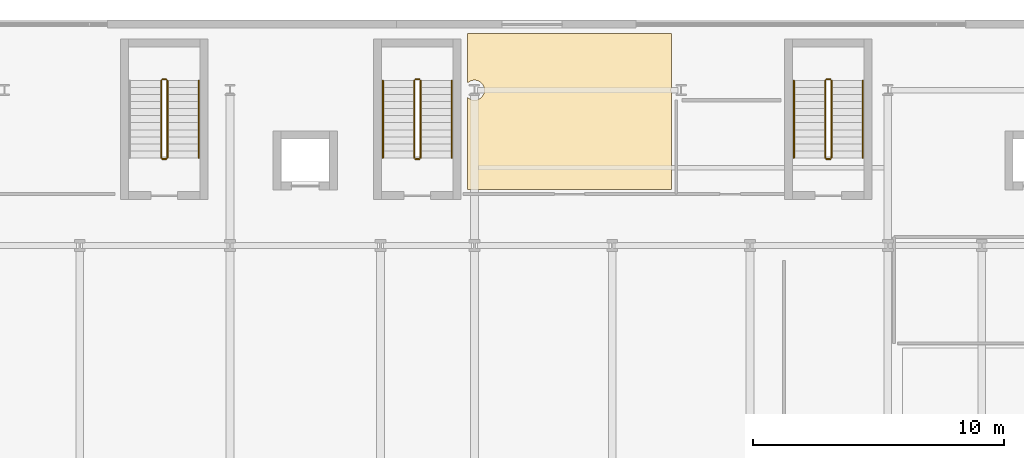
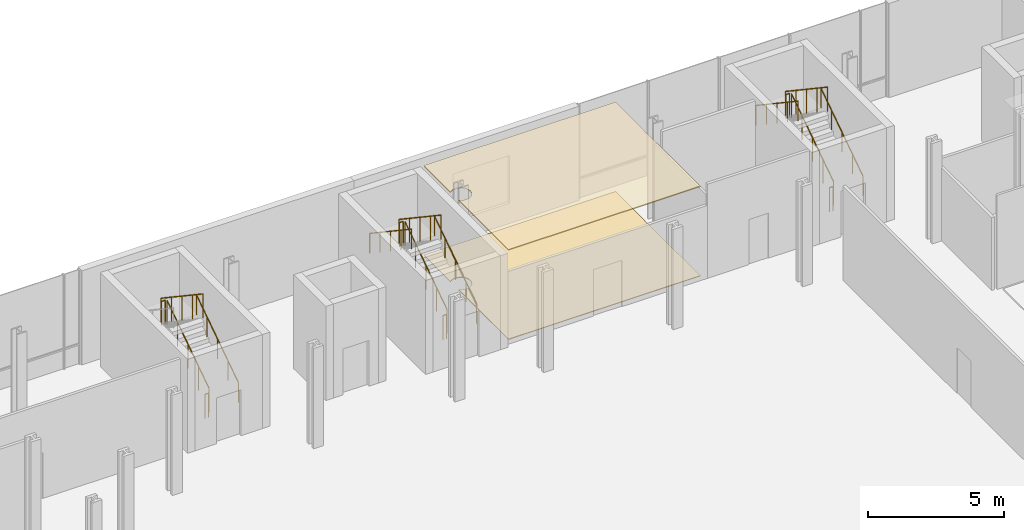
# One storey, part 24 of 25: 17 railings, 2 coverings.
"""IFC4 building model written with IfcOpenShell, lengths in metres."""

from ifc_helpers import new_model, si_unit, direction, frame, origin, origin_2d, place, context, subcontext, project, spatial, polyline, circle, outline, extrude, material, layer, layer_set, type_object, element, save


model = new_model("IFC4")

# Units and contexts
model_context = context("Model", 3, precision=1e-05, world=origin(), true_north=direction((0.0, 1.0)))
body_context = subcontext(model_context, "Body", "Model", "MODEL_VIEW")
ifc_project = project(units=[si_unit("LENGTHUNIT", "METRE"), si_unit("AREAUNIT", "SQUARE_METRE"), si_unit("VOLUMEUNIT", "CUBIC_METRE"), si_unit("PLANEANGLEUNIT", "RADIAN"), si_unit("MASSUNIT", "GRAM", prefix="KILO")], contexts=[model_context])

# Site, building, storey
site_placement = place(None, origin())
site = spatial("IfcSite", under=ifc_project, at=site_placement, CompositionType="ELEMENT")
building_placement = place(site_placement, origin())
building = spatial("IfcBuilding", under=site, at=building_placement, Name="Brevholm Reach", CompositionType="ELEMENT")
storey_placement = place(building_placement, frame((0.0, 0.0, 4.5)))
storey = spatial("IfcBuildingStorey", under=building, at=storey_placement, Name="L01", CompositionType="ELEMENT", Elevation=4.5)

# Coverings
ifc_material_1 = material(Name="Perforated Mineral-Fibre Class-A Acoustic Suspended Ceiling", Category="gypsum")
ifc_layer_1 = layer(ifc_material_1, 0.044921875)
ifc_layer_set_1 = layer_set([ifc_layer_1], Name="Perforated Mineral-Fibre Class-A Acoustic Suspended Ceiling")
covering_type_1 = type_object("IfcCoveringType", Name="COV-CLG-AC", PredefinedType="CEILING", material=ifc_layer_set_1)
covering_1_placement = place(storey_placement, frame((0.0, 0.0, 4.0048828125)))
element("IfcCovering", 1, at=covering_1_placement, inside=storey, type_object=covering_type_1, Name="L01 Suspended Ceiling L01-25", PredefinedType="CEILING", context=body_context, shape_type="SweptSolid", body=[
    extrude(outline(polyline([(21.47998046875, 36.905517578125), (21.49609375, 36.890869140625), (21.52783203125, 36.867431640625), (21.561279296875, 36.84716796875), (21.596923828125, 36.830322265625), (21.6337890625, 36.817138671875), (21.672119140625, 36.8076171875), (21.710693359375, 36.802001953125), (21.75, 36.800048828125), (21.789306640625, 36.802001953125), (21.827880859375, 36.8076171875), (21.8662109375, 36.817138671875), (21.903076171875, 36.830322265625), (21.938720703125, 36.84716796875), (21.97216796875, 36.867431640625), (22.00390625, 36.890869140625), (22.03271484375, 36.917236328125), (22.05908203125, 36.9462890625), (22.08251953125, 36.977783203125), (22.102783203125, 37.011474609375), (22.11962890625, 37.046875), (22.1328125, 37.083984375), (22.142333984375, 37.1220703125), (22.148193359375, 37.160888671875), (22.14990234375, 37.199951171875), (22.148193359375, 37.2392578125), (22.142333984375, 37.278076171875), (22.1328125, 37.316162109375), (22.11962890625, 37.35302734375), (22.102783203125, 37.388671875), (22.08251953125, 37.422119140625), (22.05908203125, 37.453857421875), (22.03271484375, 37.48291015625), (22.00390625, 37.50927734375), (21.97216796875, 37.53271484375), (21.938720703125, 37.552734375), (21.903076171875, 37.569580078125), (21.8662109375, 37.582763671875), (21.827880859375, 37.59228515625), (21.789306640625, 37.59814453125), (21.75, 37.60009765625), (21.710693359375, 37.59814453125), (21.672119140625, 37.59228515625), (21.6337890625, 37.582763671875), (21.596923828125, 37.569580078125), (21.561279296875, 37.552734375), (21.52783203125, 37.53271484375), (21.49609375, 37.50927734375), (21.47998046875, 37.494384765625), (21.47998046875, 39.4599609375), (29.6201171875, 39.4599609375), (29.6201171875, 37.323974609375), (29.6171875, 37.316162109375), (29.607666015625, 37.278076171875), (29.601806640625, 37.2392578125), (29.60009765625, 37.199951171875), (29.601806640625, 37.160888671875), (29.607666015625, 37.1220703125), (29.6171875, 37.083984375), (29.6201171875, 37.076171875), (29.6201171875, 33.23388671875), (21.47998046875, 33.23388671875), (21.47998046875, 36.905517578125)])), origin(), (0.0, 0.0, 1.0), 0.045166015625),
])
ifc_material_2 = material(Name="Honed Portland-Aggregate Resin Terrazzo Flooring", Category="concrete")
ifc_layer_2 = layer(ifc_material_2, 0.031982421875)
ifc_layer_set_2 = layer_set([ifc_layer_2], Name="Honed Portland-Aggregate Resin Terrazzo Flooring")
covering_type_2 = type_object("IfcCoveringType", Name="COV-FLR-TRZ", PredefinedType="FLOORING", material=ifc_layer_set_2)
covering_2_placement = place(storey_placement, origin())
element("IfcCovering", 2, at=covering_2_placement, inside=storey, type_object=covering_type_2, Name="L01 Floor Finish L01-25", PredefinedType="FLOORING", context=body_context, shape_type="SweptSolid", body=[
    extrude(outline(polyline([(21.47998046875, 36.905517578125), (21.49609375, 36.890869140625), (21.52783203125, 36.867431640625), (21.561279296875, 36.84716796875), (21.596923828125, 36.830322265625), (21.6337890625, 36.817138671875), (21.672119140625, 36.8076171875), (21.710693359375, 36.802001953125), (21.75, 36.800048828125), (21.789306640625, 36.802001953125), (21.827880859375, 36.8076171875), (21.8662109375, 36.817138671875), (21.903076171875, 36.830322265625), (21.938720703125, 36.84716796875), (21.97216796875, 36.867431640625), (22.00390625, 36.890869140625), (22.03271484375, 36.917236328125), (22.05908203125, 36.9462890625), (22.08251953125, 36.977783203125), (22.102783203125, 37.011474609375), (22.11962890625, 37.046875), (22.1328125, 37.083984375), (22.142333984375, 37.1220703125), (22.148193359375, 37.160888671875), (22.14990234375, 37.199951171875), (22.148193359375, 37.2392578125), (22.142333984375, 37.278076171875), (22.1328125, 37.316162109375), (22.11962890625, 37.35302734375), (22.102783203125, 37.388671875), (22.08251953125, 37.422119140625), (22.05908203125, 37.453857421875), (22.03271484375, 37.48291015625), (22.00390625, 37.50927734375), (21.97216796875, 37.53271484375), (21.938720703125, 37.552734375), (21.903076171875, 37.569580078125), (21.8662109375, 37.582763671875), (21.827880859375, 37.59228515625), (21.789306640625, 37.59814453125), (21.75, 37.60009765625), (21.710693359375, 37.59814453125), (21.672119140625, 37.59228515625), (21.6337890625, 37.582763671875), (21.596923828125, 37.569580078125), (21.561279296875, 37.552734375), (21.52783203125, 37.53271484375), (21.49609375, 37.50927734375), (21.47998046875, 37.494384765625), (21.47998046875, 39.4599609375), (29.6201171875, 39.4599609375), (29.6201171875, 37.323974609375), (29.6171875, 37.316162109375), (29.607666015625, 37.278076171875), (29.601806640625, 37.2392578125), (29.60009765625, 37.199951171875), (29.601806640625, 37.160888671875), (29.607666015625, 37.1220703125), (29.6171875, 37.083984375), (29.6201171875, 37.076171875), (29.6201171875, 33.23388671875), (21.47998046875, 33.23388671875), (21.47998046875, 36.905517578125)])), origin(), (0.0, 0.0, 1.0), 0.031982421875),
])

# Railings
ifc_material_3 = material(Name="Brushed Stainless Steel EN 1.4401 Continuous Handrail", Category="steel")
railing_type_1 = type_object("IfcRailingType", Name="RAL-HND-950", PredefinedType="HANDRAIL", material=ifc_material_3)
for number, where, name in (
    (3, (10.75, 34.5, 0.1875), "L01 ST-S1 stair handrail 1"),
    (4, (20.85009765625, 34.5, 0.1875), "L01 ST-S2 stair handrail 1"),
):
    element("IfcRailing", number, at=place(storey_placement, frame(where)), inside=storey, type_object=railing_type_1, Name=name, PredefinedType="HANDRAIL", context=body_context, shape_type="SweptSolid", body=[
        extrude(circle(Radius=0.02392578125, at=origin_2d()), frame((0.0, 0.0, 0.8857421875), z_axis=(0.0, 0.830913701846, 0.55640131208), x_axis=(-1.0, 0.0, 0.0)), (0.0, 0.0, 1.0), 3.706787109375),
        extrude(circle(Radius=0.02099609375, at=origin_2d()), origin(), (0.0, 0.0, 1.0), 0.86181640625),
        extrude(circle(Radius=0.02099609375, at=origin_2d()), frame((0.0, 0.77001953125, 0.515625)), (0.0, 0.0, 1.0), 0.86181640625),
        extrude(circle(Radius=0.02099609375, at=origin_2d()), frame((0.0, 1.5400390625, 1.03125)), (0.0, 0.0, 1.0), 0.86181640625),
        extrude(circle(Radius=0.02099609375, at=origin_2d()), frame((0.0, 2.31005859375, 1.546875)), (0.0, 0.0, 1.0), 0.86181640625),
        extrude(circle(Radius=0.02099609375, at=origin_2d()), frame((0.0, 3.080078125, 2.0625)), (0.0, 0.0, 1.0), 0.86181640625),
    ])
railing_1_placement = place(storey_placement, frame((18.10009765625, 37.580078125, 2.4375)))
element("IfcRailing", 5, at=railing_1_placement, inside=storey, type_object=railing_type_1, Name="L01 ST-S2 stair handrail 2", PredefinedType="HANDRAIL", context=body_context, shape_type="SweptSolid", body=[
    extrude(circle(Radius=0.02392578125, at=origin_2d()), frame((0.0, 0.0, 0.8857421875), z_axis=(0.0, -0.830913701846, 0.55640131208), x_axis=(1.0, 0.0, 0.0)), (0.0, 0.0, 1.0), 3.706787109375),
    extrude(circle(Radius=0.02099609375, at=origin_2d()), origin(), (0.0, 0.0, 1.0), 0.86181640625),
    extrude(circle(Radius=0.02099609375, at=origin_2d()), frame((0.0, -0.77001953125, 0.515625)), (0.0, 0.0, 1.0), 0.86181640625),
    extrude(circle(Radius=0.02099609375, at=origin_2d()), frame((0.0, -1.5400390625, 1.03125)), (0.0, 0.0, 1.0), 0.86181640625),
    extrude(circle(Radius=0.02099609375, at=origin_2d()), frame((0.0, -2.31005859375, 1.546875)), (0.0, 0.0, 1.0), 0.86181640625),
    extrude(circle(Radius=0.02099609375, at=origin_2d()), frame((0.0, -3.080078125, 2.0625)), (0.0, 0.0, 1.0), 0.86181640625),
])
railing_2_placement = place(storey_placement, frame((37.25, 34.5, 0.1875)))
element("IfcRailing", 6, at=railing_2_placement, inside=storey, type_object=railing_type_1, Name="L01 ST-S3 stair handrail 1", PredefinedType="HANDRAIL", context=body_context, shape_type="SweptSolid", body=[
    extrude(circle(Radius=0.02392578125, at=origin_2d()), frame((0.0, 0.0, 0.8857421875), z_axis=(0.0, 0.830913701846, 0.55640131208), x_axis=(-1.0, 0.0, 0.0)), (0.0, 0.0, 1.0), 3.706787109375),
    extrude(circle(Radius=0.02099609375, at=origin_2d()), origin(), (0.0, 0.0, 1.0), 0.86181640625),
    extrude(circle(Radius=0.02099609375, at=origin_2d()), frame((0.0, 0.77001953125, 0.515625)), (0.0, 0.0, 1.0), 0.86181640625),
    extrude(circle(Radius=0.02099609375, at=origin_2d()), frame((0.0, 1.5400390625, 1.03125)), (0.0, 0.0, 1.0), 0.86181640625),
    extrude(circle(Radius=0.02099609375, at=origin_2d()), frame((0.0, 2.31005859375, 1.546875)), (0.0, 0.0, 1.0), 0.86181640625),
    extrude(circle(Radius=0.02099609375, at=origin_2d()), frame((0.0, 3.080078125, 2.0625)), (0.0, 0.0, 1.0), 0.86181640625),
])
railing_3_placement = place(storey_placement, frame((34.5, 37.580078125, 2.4375)))
element("IfcRailing", 7, at=railing_3_placement, inside=storey, type_object=railing_type_1, Name="L01 ST-S3 stair handrail 2", PredefinedType="HANDRAIL", context=body_context, shape_type="SweptSolid", body=[
    extrude(circle(Radius=0.02392578125, at=origin_2d()), frame((0.0, 0.0, 0.8857421875), z_axis=(0.0, -0.830913701846, 0.55640131208), x_axis=(1.0, 0.0, 0.0)), (0.0, 0.0, 1.0), 3.706787109375),
    extrude(circle(Radius=0.02099609375, at=origin_2d()), origin(), (0.0, 0.0, 1.0), 0.86181640625),
    extrude(circle(Radius=0.02099609375, at=origin_2d()), frame((0.0, -0.77001953125, 0.515625)), (0.0, 0.0, 1.0), 0.86181640625),
    extrude(circle(Radius=0.02099609375, at=origin_2d()), frame((0.0, -1.5400390625, 1.03125)), (0.0, 0.0, 1.0), 0.86181640625),
    extrude(circle(Radius=0.02099609375, at=origin_2d()), frame((0.0, -2.31005859375, 1.546875)), (0.0, 0.0, 1.0), 0.86181640625),
    extrude(circle(Radius=0.02099609375, at=origin_2d()), frame((0.0, -3.080078125, 2.0625)), (0.0, 0.0, 1.0), 0.86181640625),
])
ifc_material_4 = material(Name="Painted Tubular Galvanised Steel S275JR Stair Guard", Category="steel")
railing_type_2 = type_object("IfcRailingType", Name="RAL-STG-1120", PredefinedType="BALUSTRADE", material=ifc_material_4)
railing_4_placement = place(storey_placement, frame((9.5, 34.5, 0.1875)))
element("IfcRailing", 8, at=railing_4_placement, inside=storey, type_object=railing_type_2, Name="L01 ST-S1 stair guard 1", PredefinedType="BALUSTRADE", context=body_context, shape_type="SweptSolid", body=[
    extrude(circle(Radius=0.02392578125, at=origin_2d()), frame((0.0, 0.0, 1.076171875), z_axis=(0.0, 0.830913701846, 0.55640131208), x_axis=(-1.0, 0.0, 0.0)), (0.0, 0.0, 1.0), 3.706787109375),
    extrude(circle(Radius=0.02099609375, at=origin_2d()), origin(), (0.0, 0.0, 1.0), 1.052001953125),
    extrude(circle(Radius=0.02099609375, at=origin_2d()), frame((0.0, 0.77001953125, 0.515625)), (0.0, 0.0, 1.0), 1.052001953125),
    extrude(circle(Radius=0.02099609375, at=origin_2d()), frame((0.0, 1.5400390625, 1.03125)), (0.0, 0.0, 1.0), 1.052001953125),
    extrude(circle(Radius=0.02099609375, at=origin_2d()), frame((0.0, 2.31005859375, 1.546875)), (0.0, 0.0, 1.0), 1.052001953125),
    extrude(circle(Radius=0.02099609375, at=origin_2d()), frame((0.0, 3.080078125, 2.0625)), (0.0, 0.0, 1.0), 1.052001953125),
])
railing_5_placement = place(storey_placement, frame((9.449951171875, 37.6298828125, 2.25)))
element("IfcRailing", 9, at=railing_5_placement, inside=storey, type_object=railing_type_2, Name="L01 ST-S1 stair guard 2", PredefinedType="BALUSTRADE", context=body_context, shape_type="SweptSolid", body=[
    extrude(circle(Radius=0.02392578125, at=origin_2d()), frame((0.0, 0.0, 1.076171875), z_axis=(-1.0, 0.0, 0.0), x_axis=(0.0, -1.0, 0.0)), (0.0, 0.0, 1.0), 0.14990234375),
    extrude(circle(Radius=0.02099609375, at=origin_2d()), origin(), (0.0, 0.0, 1.0), 1.052001953125),
    extrude(circle(Radius=0.02099609375, at=origin_2d()), frame((-0.14990234375, 0.0, 0.0)), (0.0, 0.0, 1.0), 1.052001953125),
])
railing_6_placement = place(storey_placement, frame((9.25, 37.580078125, 2.4375)))
element("IfcRailing", 10, at=railing_6_placement, inside=storey, type_object=railing_type_2, Name="L01 ST-S1 stair guard 3", PredefinedType="BALUSTRADE", context=body_context, shape_type="SweptSolid", body=[
    extrude(circle(Radius=0.02392578125, at=origin_2d()), frame((0.0, 0.0, 1.076171875), z_axis=(0.0, -0.830913701846, 0.55640131208), x_axis=(1.0, 0.0, 0.0)), (0.0, 0.0, 1.0), 3.706787109375),
    extrude(circle(Radius=0.02099609375, at=origin_2d()), origin(), (0.0, 0.0, 1.0), 1.052001953125),
    extrude(circle(Radius=0.02099609375, at=origin_2d()), frame((0.0, -0.77001953125, 0.515625)), (0.0, 0.0, 1.0), 1.052001953125),
    extrude(circle(Radius=0.02099609375, at=origin_2d()), frame((0.0, -1.5400390625, 1.03125)), (0.0, 0.0, 1.0), 1.052001953125),
    extrude(circle(Radius=0.02099609375, at=origin_2d()), frame((0.0, -2.31005859375, 1.546875)), (0.0, 0.0, 1.0), 1.052001953125),
    extrude(circle(Radius=0.02099609375, at=origin_2d()), frame((0.0, -3.080078125, 2.0625)), (0.0, 0.0, 1.0), 1.052001953125),
])
railing_7_placement = place(storey_placement, frame((9.449951171875, 34.449951171875, 0.0)))
element("IfcRailing", 11, at=railing_7_placement, inside=storey, type_object=railing_type_2, Name="L01 ST-S1 stair guard 4", PredefinedType="BALUSTRADE", context=body_context, shape_type="SweptSolid", body=[
    extrude(circle(Radius=0.02392578125, at=origin_2d()), frame((0.0, 0.0, 1.076171875), z_axis=(-1.0, 0.0, 0.0), x_axis=(0.0, -1.0, 0.0)), (0.0, 0.0, 1.0), 0.14990234375),
    extrude(circle(Radius=0.02099609375, at=origin_2d()), origin(), (0.0, 0.0, 1.0), 1.052001953125),
    extrude(circle(Radius=0.02099609375, at=origin_2d()), frame((-0.14990234375, 0.0, 0.0)), (0.0, 0.0, 1.0), 1.052001953125),
])
railing_8_placement = place(storey_placement, frame((19.60009765625, 34.5, 0.1875)))
element("IfcRailing", 12, at=railing_8_placement, inside=storey, type_object=railing_type_2, Name="L01 ST-S2 stair guard 1", PredefinedType="BALUSTRADE", context=body_context, shape_type="SweptSolid", body=[
    extrude(circle(Radius=0.02392578125, at=origin_2d()), frame((0.0, 0.0, 1.076171875), z_axis=(0.0, 0.830913701846, 0.55640131208), x_axis=(-1.0, 0.0, 0.0)), (0.0, 0.0, 1.0), 3.706787109375),
    extrude(circle(Radius=0.02099609375, at=origin_2d()), origin(), (0.0, 0.0, 1.0), 1.052001953125),
    extrude(circle(Radius=0.02099609375, at=origin_2d()), frame((0.0, 0.77001953125, 0.515625)), (0.0, 0.0, 1.0), 1.052001953125),
    extrude(circle(Radius=0.02099609375, at=origin_2d()), frame((0.0, 1.5400390625, 1.03125)), (0.0, 0.0, 1.0), 1.052001953125),
    extrude(circle(Radius=0.02099609375, at=origin_2d()), frame((0.0, 2.31005859375, 1.546875)), (0.0, 0.0, 1.0), 1.052001953125),
    extrude(circle(Radius=0.02099609375, at=origin_2d()), frame((0.0, 3.080078125, 2.0625)), (0.0, 0.0, 1.0), 1.052001953125),
])
railing_9_placement = place(storey_placement, frame((19.550048828125, 37.6298828125, 2.25)))
element("IfcRailing", 13, at=railing_9_placement, inside=storey, type_object=railing_type_2, Name="L01 ST-S2 stair guard 2", PredefinedType="BALUSTRADE", context=body_context, shape_type="SweptSolid", body=[
    extrude(circle(Radius=0.02392578125, at=origin_2d()), frame((0.0, 0.0, 1.076171875), z_axis=(-1.0, 0.0, 0.0), x_axis=(0.0, -1.0, 0.0)), (0.0, 0.0, 1.0), 0.150146484375),
    extrude(circle(Radius=0.02099609375, at=origin_2d()), origin(), (0.0, 0.0, 1.0), 1.052001953125),
    extrude(circle(Radius=0.02099609375, at=origin_2d()), frame((-0.150146484375, 0.0, 0.0)), (0.0, 0.0, 1.0), 1.052001953125),
])
railing_10_placement = place(storey_placement, frame((19.35009765625, 37.580078125, 2.4375)))
element("IfcRailing", 14, at=railing_10_placement, inside=storey, type_object=railing_type_2, Name="L01 ST-S2 stair guard 3", PredefinedType="BALUSTRADE", context=body_context, shape_type="SweptSolid", body=[
    extrude(circle(Radius=0.02392578125, at=origin_2d()), frame((0.0, 0.0, 1.076171875), z_axis=(0.0, -0.830913701846, 0.55640131208), x_axis=(1.0, 0.0, 0.0)), (0.0, 0.0, 1.0), 3.706787109375),
    extrude(circle(Radius=0.02099609375, at=origin_2d()), origin(), (0.0, 0.0, 1.0), 1.052001953125),
    extrude(circle(Radius=0.02099609375, at=origin_2d()), frame((0.0, -0.77001953125, 0.515625)), (0.0, 0.0, 1.0), 1.052001953125),
    extrude(circle(Radius=0.02099609375, at=origin_2d()), frame((0.0, -1.5400390625, 1.03125)), (0.0, 0.0, 1.0), 1.052001953125),
    extrude(circle(Radius=0.02099609375, at=origin_2d()), frame((0.0, -2.31005859375, 1.546875)), (0.0, 0.0, 1.0), 1.052001953125),
    extrude(circle(Radius=0.02099609375, at=origin_2d()), frame((0.0, -3.080078125, 2.0625)), (0.0, 0.0, 1.0), 1.052001953125),
])
railing_11_placement = place(storey_placement, frame((19.550048828125, 34.449951171875, 0.0)))
element("IfcRailing", 15, at=railing_11_placement, inside=storey, type_object=railing_type_2, Name="L01 ST-S2 stair guard 4", PredefinedType="BALUSTRADE", context=body_context, shape_type="SweptSolid", body=[
    extrude(circle(Radius=0.02392578125, at=origin_2d()), frame((0.0, 0.0, 1.076171875), z_axis=(-1.0, 0.0, 0.0), x_axis=(0.0, -1.0, 0.0)), (0.0, 0.0, 1.0), 0.150146484375),
    extrude(circle(Radius=0.02099609375, at=origin_2d()), origin(), (0.0, 0.0, 1.0), 1.052001953125),
    extrude(circle(Radius=0.02099609375, at=origin_2d()), frame((-0.150146484375, 0.0, 0.0)), (0.0, 0.0, 1.0), 1.052001953125),
])
railing_12_placement = place(storey_placement, frame((36.0, 34.5, 0.1875)))
element("IfcRailing", 16, at=railing_12_placement, inside=storey, type_object=railing_type_2, Name="L01 ST-S3 stair guard 1", PredefinedType="BALUSTRADE", context=body_context, shape_type="SweptSolid", body=[
    extrude(circle(Radius=0.02392578125, at=origin_2d()), frame((0.0, 0.0, 1.076171875), z_axis=(0.0, 0.830913701846, 0.55640131208), x_axis=(-1.0, 0.0, 0.0)), (0.0, 0.0, 1.0), 3.706787109375),
    extrude(circle(Radius=0.02099609375, at=origin_2d()), origin(), (0.0, 0.0, 1.0), 1.052001953125),
    extrude(circle(Radius=0.02099609375, at=origin_2d()), frame((0.0, 0.77001953125, 0.515625)), (0.0, 0.0, 1.0), 1.052001953125),
    extrude(circle(Radius=0.02099609375, at=origin_2d()), frame((0.0, 1.5400390625, 1.03125)), (0.0, 0.0, 1.0), 1.052001953125),
    extrude(circle(Radius=0.02099609375, at=origin_2d()), frame((0.0, 2.31005859375, 1.546875)), (0.0, 0.0, 1.0), 1.052001953125),
    extrude(circle(Radius=0.02099609375, at=origin_2d()), frame((0.0, 3.080078125, 2.0625)), (0.0, 0.0, 1.0), 1.052001953125),
])
railing_13_placement = place(storey_placement, frame((35.949951171875, 37.6298828125, 2.25)))
element("IfcRailing", 17, at=railing_13_placement, inside=storey, type_object=railing_type_2, Name="L01 ST-S3 stair guard 2", PredefinedType="BALUSTRADE", context=body_context, shape_type="SweptSolid", body=[
    extrude(circle(Radius=0.02392578125, at=origin_2d()), frame((0.0, 0.0, 1.076171875), z_axis=(-1.0, 0.0, 0.0), x_axis=(0.0, -1.0, 0.0)), (0.0, 0.0, 1.0), 0.14990234375),
    extrude(circle(Radius=0.02099609375, at=origin_2d()), origin(), (0.0, 0.0, 1.0), 1.052001953125),
    extrude(circle(Radius=0.02099609375, at=origin_2d()), frame((-0.14990234375, 0.0, 0.0)), (0.0, 0.0, 1.0), 1.052001953125),
])
railing_14_placement = place(storey_placement, frame((35.75, 37.580078125, 2.4375)))
element("IfcRailing", 18, at=railing_14_placement, inside=storey, type_object=railing_type_2, Name="L01 ST-S3 stair guard 3", PredefinedType="BALUSTRADE", context=body_context, shape_type="SweptSolid", body=[
    extrude(circle(Radius=0.02392578125, at=origin_2d()), frame((0.0, 0.0, 1.076171875), z_axis=(0.0, -0.830913701846, 0.55640131208), x_axis=(1.0, 0.0, 0.0)), (0.0, 0.0, 1.0), 3.706787109375),
    extrude(circle(Radius=0.02099609375, at=origin_2d()), origin(), (0.0, 0.0, 1.0), 1.052001953125),
    extrude(circle(Radius=0.02099609375, at=origin_2d()), frame((0.0, -0.77001953125, 0.515625)), (0.0, 0.0, 1.0), 1.052001953125),
    extrude(circle(Radius=0.02099609375, at=origin_2d()), frame((0.0, -1.5400390625, 1.03125)), (0.0, 0.0, 1.0), 1.052001953125),
    extrude(circle(Radius=0.02099609375, at=origin_2d()), frame((0.0, -2.31005859375, 1.546875)), (0.0, 0.0, 1.0), 1.052001953125),
    extrude(circle(Radius=0.02099609375, at=origin_2d()), frame((0.0, -3.080078125, 2.0625)), (0.0, 0.0, 1.0), 1.052001953125),
])
railing_15_placement = place(storey_placement, frame((35.949951171875, 34.449951171875, 0.0)))
element("IfcRailing", 19, at=railing_15_placement, inside=storey, type_object=railing_type_2, Name="L01 ST-S3 stair guard 4", PredefinedType="BALUSTRADE", context=body_context, shape_type="SweptSolid", body=[
    extrude(circle(Radius=0.02392578125, at=origin_2d()), frame((0.0, 0.0, 1.076171875), z_axis=(-1.0, 0.0, 0.0), x_axis=(0.0, -1.0, 0.0)), (0.0, 0.0, 1.0), 0.14990234375),
    extrude(circle(Radius=0.02099609375, at=origin_2d()), origin(), (0.0, 0.0, 1.0), 1.052001953125),
    extrude(circle(Radius=0.02099609375, at=origin_2d()), frame((-0.14990234375, 0.0, 0.0)), (0.0, 0.0, 1.0), 1.052001953125),
])

save(model, "model.ifc")
